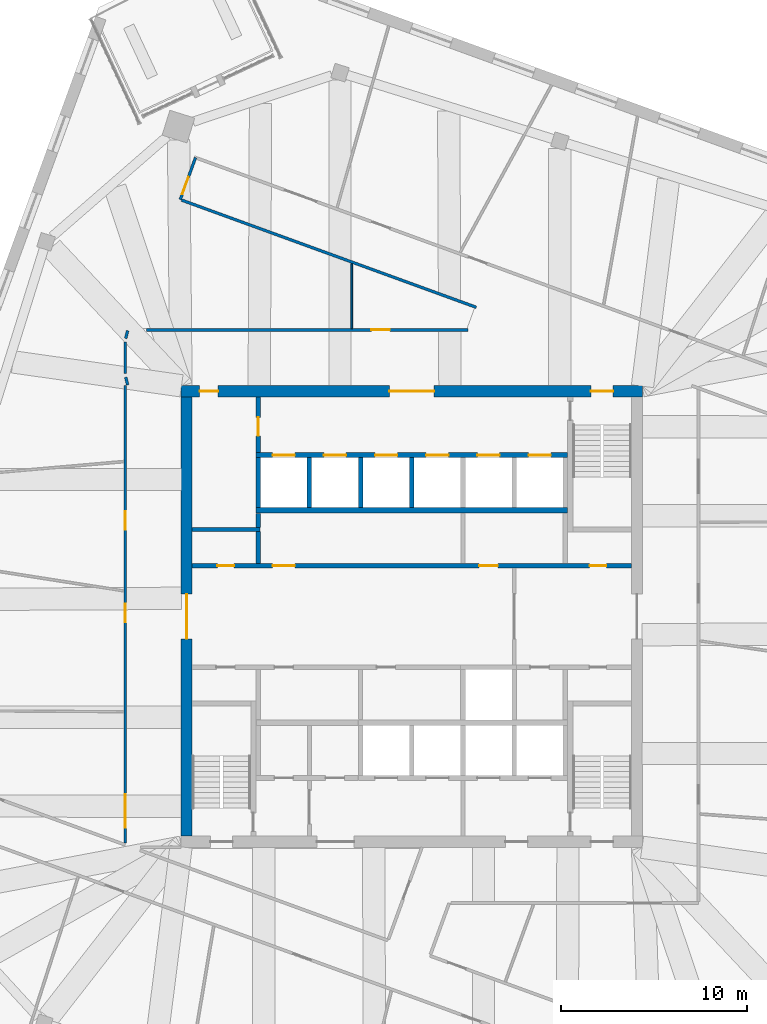
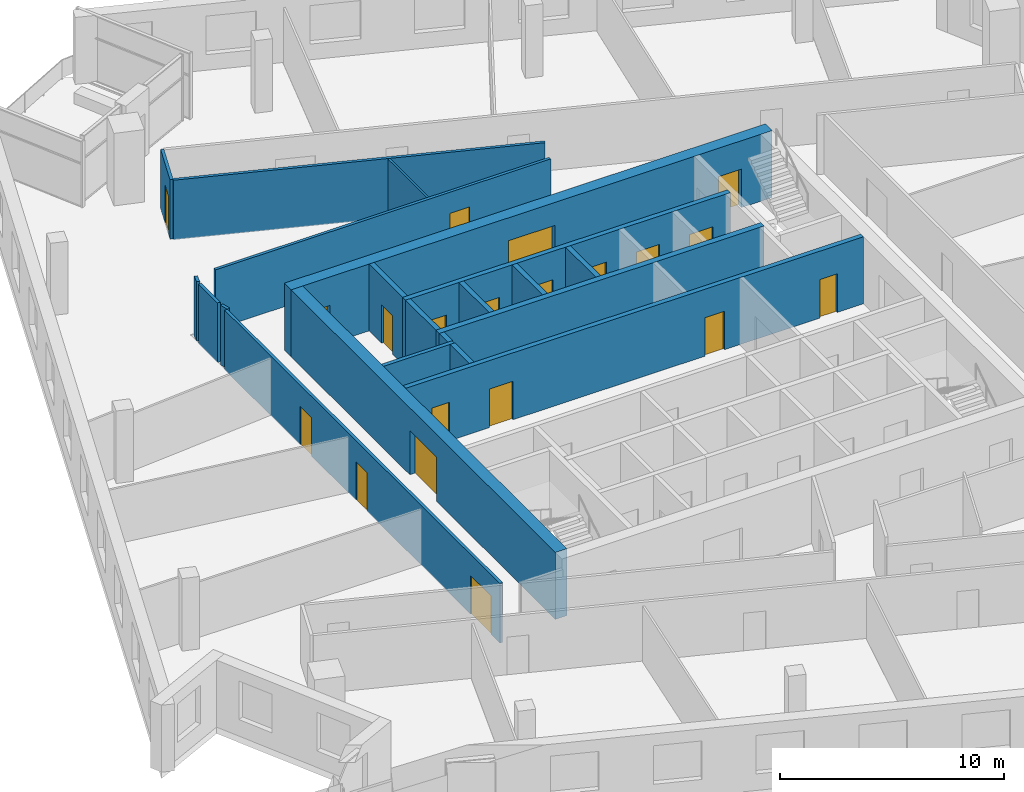
# One storey, part 9 of 13: 21 walls, 20 doors, 20 openings.
"""IFC4 building model written with IfcOpenShell, lengths in metres."""

from ifc_helpers import new_model, si_unit, direction, frame, frame_2d, origin, place, context, subcontext, project, spatial, rectangle, extrude, material, layer, layer_set, type_object, element, fill, save


model = new_model("IFC4")

# Units and contexts
model_context = context("Model", 3, precision=1e-05, world=origin(), true_north=direction((0.0, 1.0)))
body_context = subcontext(model_context, "Body", "Model", "MODEL_VIEW")
ifc_project = project(units=[si_unit("LENGTHUNIT", "METRE"), si_unit("AREAUNIT", "SQUARE_METRE"), si_unit("VOLUMEUNIT", "CUBIC_METRE"), si_unit("PLANEANGLEUNIT", "RADIAN"), si_unit("MASSUNIT", "GRAM", prefix="KILO")], contexts=[model_context])

# Site, building, storey
site_placement = place(None, origin())
site = spatial("IfcSite", under=ifc_project, at=site_placement, CompositionType="ELEMENT")
building_placement = place(site_placement, origin())
building = spatial("IfcBuilding", under=site, at=building_placement, Name="Dilmun Exchange Tower", CompositionType="ELEMENT")
storey_placement = place(building_placement, frame((0.0, 0.0, 312.5)))
storey = spatial("IfcBuildingStorey", under=building, at=storey_placement, Name="L74", CompositionType="ELEMENT", Elevation=312.5)

# Wall
ifc_material_1 = material(Name="Concrete C40/50", Category="concrete")
ifc_layer_1 = layer(ifc_material_1, 0.199951171875)
ifc_layer_set_1 = layer_set([ifc_layer_1], Name="Concrete C40/50")
wall_type_1 = type_object("IfcWallType", Name="Core partition wall 200", PredefinedType="PARTITIONING", material=ifc_layer_set_1)
wall_1_placement = place(storey_placement, frame((-11.794921875, 4.675048828125, 0.0), z_axis=(0.0, 0.0, 1.0), x_axis=(1.0, 0.0, 0.0)))
element("IfcWall", 1, at=wall_1_placement, inside=storey, type_object=wall_type_1, Name="L74 core partition wall 17", PredefinedType="PARTITIONING", context=body_context, shape_type="SweptSolid", body=[
    extrude(rectangle(XDim=3.64501953125, YDim=0.199951171875, at=frame_2d((1.822509765625, 0.0))), origin(), (0.0, 0.0, 1.0), 3.64990234375),
])

# Wall, openings, doors
ifc_layer_2 = layer(ifc_material_1, 0.25)
ifc_layer_set_2 = layer_set([ifc_layer_2], Name="Concrete C40/50")
wall_type_2 = type_object("IfcWallType", Name="Core partition wall 250", PredefinedType="PARTITIONING", material=ifc_layer_set_2)
wall_2_placement = place(storey_placement, frame((-11.794921875, 2.72509765625, 0.0), z_axis=(0.0, 0.0, 1.0), x_axis=(1.0, 0.0, 0.0)))
wall_2 = element("IfcWall", 2, at=wall_2_placement, inside=storey, type_object=wall_type_2, Name="L74 core partition wall 13", PredefinedType="PARTITIONING", context=body_context, shape_type="SweptSolid", body=[
    extrude(rectangle(XDim=23.58984375, YDim=0.25, at=frame_2d((11.794921875, 0.0))), origin(), (0.0, 0.0, 1.0), 3.64990234375),
])
opening_1_placement = place(wall_2_placement, frame((21.344970703125, 0.0, 0.0)))
opening_1 = element("IfcOpeningElement", 3, at=opening_1_placement, cuts=wall_2, Name="Opening CD6", PredefinedType="OPENING", context=body_context, shape_type="SweptSolid", body=[
    extrude(rectangle(XDim=0.89990234375, YDim=2.10009765625, at=frame_2d((0.449951171875, 1.050048828125))), frame((0.0, 0.135009765625, 0.0), z_axis=(0.0, -1.0, 0.0), x_axis=(1.0, 0.0, 0.0)), (0.0, 0.0, 1.0), 0.27001953125),
])
opening_2_placement = place(wall_2_placement, frame((1.344970703125, 0.0, 0.0)))
opening_2 = element("IfcOpeningElement", 4, at=opening_2_placement, cuts=wall_2, Name="Opening CD6", PredefinedType="OPENING", context=body_context, shape_type="SweptSolid", body=[
    extrude(rectangle(XDim=0.89990234375, YDim=2.10009765625, at=frame_2d((0.449951171875, 1.050048828125))), frame((0.0, 0.135009765625, 0.0), z_axis=(0.0, -1.0, 0.0), x_axis=(1.0, 0.0, 0.0)), (0.0, 0.0, 1.0), 0.27001953125),
])
opening_3_placement = place(wall_2_placement, frame((4.320068359375, 0.0, 0.0)))
opening_3 = element("IfcOpeningElement", 5, at=opening_3_placement, cuts=wall_2, Name="Opening CD3", PredefinedType="OPENING", context=body_context, shape_type="SweptSolid", body=[
    extrude(rectangle(XDim=1.199951171875, YDim=2.10009765625, at=frame_2d((0.60009765625, 1.050048828125))), frame((0.0, 0.135009765625, 0.0), z_axis=(0.0, -1.0, 0.0), x_axis=(1.0, 0.0, 0.0)), (0.0, 0.0, 1.0), 0.27001953125),
])
opening_4_placement = place(wall_2_placement, frame((15.419921875, 0.0, 0.0)))
opening_4 = element("IfcOpeningElement", 6, at=opening_4_placement, cuts=wall_2, Name="Opening CD4", PredefinedType="OPENING", context=body_context, shape_type="SweptSolid", body=[
    extrude(rectangle(XDim=1.0, YDim=2.10009765625, at=frame_2d((0.5, 1.050048828125))), frame((0.0, 0.135009765625, 0.0), z_axis=(0.0, -1.0, 0.0), x_axis=(1.0, 0.0, 0.0)), (0.0, 0.0, 1.0), 0.27001953125),
])
ifc_material_2 = material(Name="Fire-rated steel door set", Category="steel")
door_type_1 = type_object("IfcDoorType", Name="Core room door 1000x2100", OperationType="SINGLE_SWING_LEFT", PredefinedType="DOOR", material=ifc_material_2)
door_1_placement = place(opening_4_placement, origin())
door_1 = element("IfcDoor", 7, at=door_1_placement, inside=storey, type_object=door_type_1, Name="L74 door Archive store", OperationType="SINGLE_SWING_LEFT", OverallHeight=2.10009765625, OverallWidth=1.0, PredefinedType="DOOR", context=body_context, shape_type="SweptSolid", body=[
    extrude(rectangle(XDim=1.0, YDim=2.10009765625, at=frame_2d((0.5, 1.050048828125))), frame((0.0, 0.02490234375, 0.0), z_axis=(0.0, -1.0, 0.0), x_axis=(1.0, 0.0, 0.0)), (0.0, 0.0, 1.0), 0.050048828125),
])
fill(opening_4, door_1)
door_type_2 = type_object("IfcDoorType", Name="Core room door 900x2100", OperationType="SINGLE_SWING_LEFT", PredefinedType="DOOR", material=ifc_material_2)
door_2_placement = place(opening_1_placement, origin())
door_2 = element("IfcDoor", 8, at=door_2_placement, inside=storey, type_object=door_type_2, Name="L74 door Electrical riser", OperationType="SINGLE_SWING_LEFT", OverallHeight=2.10009765625, OverallWidth=0.89990234375, PredefinedType="DOOR", context=body_context, shape_type="SweptSolid", body=[
    extrude(rectangle(XDim=0.89990234375, YDim=2.10009765625, at=frame_2d((0.449951171875, 1.050048828125))), frame((0.0, 0.02490234375, 0.0), z_axis=(0.0, -1.0, 0.0), x_axis=(1.0, 0.0, 0.0)), (0.0, 0.0, 1.0), 0.050048828125),
])
fill(opening_1, door_2)
door_3_placement = place(opening_2_placement, origin())
door_3 = element("IfcDoor", 9, at=door_3_placement, inside=storey, type_object=door_type_2, Name="L74 door Plumbing riser", OperationType="SINGLE_SWING_LEFT", OverallHeight=2.10009765625, OverallWidth=0.89990234375, PredefinedType="DOOR", context=body_context, shape_type="SweptSolid", body=[
    extrude(rectangle(XDim=0.89990234375, YDim=2.10009765625, at=frame_2d((0.449951171875, 1.050048828125))), frame((0.0, 0.02490234375, 0.0), z_axis=(0.0, -1.0, 0.0), x_axis=(1.0, 0.0, 0.0)), (0.0, 0.0, 1.0), 0.050048828125),
])
fill(opening_2, door_3)
door_type_3 = type_object("IfcDoorType", Name="Stair exit door 1200x2100", OperationType="SINGLE_SWING_LEFT", PredefinedType="DOOR", material=ifc_material_2)
door_4_placement = place(opening_3_placement, origin())
door_4 = element("IfcDoor", 10, at=door_4_placement, inside=storey, type_object=door_type_3, Name="L74 door Tenant meeting suite", OperationType="SINGLE_SWING_LEFT", OverallHeight=2.10009765625, OverallWidth=1.199951171875, PredefinedType="DOOR", context=body_context, shape_type="SweptSolid", body=[
    extrude(rectangle(XDim=1.199951171875, YDim=2.10009765625, at=frame_2d((0.60009765625, 1.050048828125))), frame((0.0, 0.02490234375, 0.0), z_axis=(0.0, -1.0, 0.0), x_axis=(1.0, 0.0, 0.0)), (0.0, 0.0, 1.0), 0.050048828125),
])
fill(opening_3, door_4)

# Walls
wall_3_placement = place(storey_placement, frame((-8.25, 2.85498046875, 0.0), z_axis=(0.0, 0.0, 1.0), x_axis=(0.0, 1.0, 0.0)))
element("IfcWall", 11, at=wall_3_placement, inside=storey, type_object=wall_type_2, Name="L74 core partition wall 14", PredefinedType="PARTITIONING", context=body_context, shape_type="SweptSolid", body=[
    extrude(rectangle(XDim=1.715087890625, YDim=0.25, at=frame_2d((0.857421875, 0.0))), origin(), (0.0, 0.0, 1.0), 3.64990234375),
])
wall_4_placement = place(storey_placement, frame((-8.25, 4.780029296875, 0.0), z_axis=(0.0, 0.0, 1.0), x_axis=(0.0, 1.0, 0.0)))
element("IfcWall", 12, at=wall_4_placement, inside=storey, type_object=wall_type_2, Name="L74 core partition wall 18", PredefinedType="PARTITIONING", context=body_context, shape_type="SweptSolid", body=[
    extrude(rectangle(XDim=0.764892578125, YDim=0.25, at=frame_2d((0.38232421875, 0.0))), origin(), (0.0, 0.0, 1.0), 3.64990234375),
])

# Wall, opening, door
wall_5_placement = place(storey_placement, frame((-8.25, 8.804931640625, 0.0), z_axis=(0.0, 0.0, 1.0), x_axis=(0.0, 1.0, 0.0)))
wall_5 = element("IfcWall", 13, at=wall_5_placement, inside=storey, type_object=wall_type_2, Name="L74 core partition wall 19", PredefinedType="PARTITIONING", context=body_context, shape_type="SweptSolid", body=[
    extrude(rectangle(XDim=2.989990234375, YDim=0.25, at=frame_2d((1.4951171875, 0.0))), origin(), (0.0, 0.0, 1.0), 3.64990234375),
])
opening_5_placement = place(wall_5_placement, frame((0.89501953125, 0.0, 0.0)))
opening_5 = element("IfcOpeningElement", 14, at=opening_5_placement, cuts=wall_5, Name="Opening CD4", PredefinedType="OPENING", context=body_context, shape_type="SweptSolid", body=[
    extrude(rectangle(XDim=1.0, YDim=2.10009765625, at=frame_2d((0.5, 1.050048828125))), frame((0.0, 0.135009765625, 0.0), z_axis=(0.0, -1.0, 0.0), x_axis=(1.0, 0.0, 0.0)), (0.0, 0.0, 1.0), 0.27001953125),
])
door_5_placement = place(opening_5_placement, origin())
door_5 = element("IfcDoor", 15, at=door_5_placement, inside=storey, type_object=door_type_1, Name="L74 door Facilities office", OperationType="SINGLE_SWING_LEFT", OverallHeight=2.10009765625, OverallWidth=1.0, PredefinedType="DOOR", context=body_context, shape_type="SweptSolid", body=[
    extrude(rectangle(XDim=1.0, YDim=2.10009765625, at=frame_2d((0.5, 1.050048828125))), frame((0.0, 0.02490234375, 0.0), z_axis=(0.0, -1.0, 0.0), x_axis=(1.0, 0.0, 0.0)), (0.0, 0.0, 1.0), 0.050048828125),
])
fill(opening_5, door_5)

# Wall, openings, doors
ifc_material_3 = material(Name="Concrete C50/60", Category="concrete")
ifc_layer_3 = layer(ifc_material_3, 0.60009765625)
ifc_layer_set_3 = layer_set([ifc_layer_3], Name="Concrete C50/60")
wall_type_3 = type_object("IfcWallType", Name="Core shear wall 600 Concrete C50/60", PredefinedType="SHEAR", material=ifc_layer_set_3)
wall_6_placement = place(storey_placement, frame((-12.39990234375, 12.10009765625, 0.0), z_axis=(0.0, 0.0, 1.0), x_axis=(1.0, 0.0, 0.0)))
wall_6 = element("IfcWall", 16, at=wall_6_placement, inside=storey, type_object=wall_type_3, Name="L74 core shear wall N", PredefinedType="SHEAR", context=body_context, shape_type="SweptSolid", body=[
    extrude(rectangle(XDim=24.7998046875, YDim=0.60009765625, at=frame_2d((12.39990234375, 0.0))), origin(), (0.0, 0.0, 1.0), 3.64990234375),
])
opening_6_placement = place(wall_6_placement, frame((11.199951171875, 0.0, 0.0)))
opening_6 = element("IfcOpeningElement", 17, at=opening_6_placement, cuts=wall_6, Name="Opening CD1", PredefinedType="OPENING", context=body_context, shape_type="SweptSolid", body=[
    extrude(rectangle(XDim=2.39990234375, YDim=2.39990234375, at=frame_2d((1.199951171875, 1.199951171875))), frame((0.0, 0.31005859375, 0.0), z_axis=(0.0, -1.0, 0.0), x_axis=(1.0, 0.0, 0.0)), (0.0, 0.0, 1.0), 0.6201171875),
])
opening_7_placement = place(wall_6_placement, frame((22.02490234375, 0.0, 0.0)))
opening_7 = element("IfcOpeningElement", 18, at=opening_7_placement, cuts=wall_6, Name="Opening CD3", PredefinedType="OPENING", context=body_context, shape_type="SweptSolid", body=[
    extrude(rectangle(XDim=1.199951171875, YDim=2.10009765625, at=frame_2d((0.60009765625, 1.050048828125))), frame((0.0, 0.31005859375, 0.0), z_axis=(0.0, -1.0, 0.0), x_axis=(1.0, 0.0, 0.0)), (0.0, 0.0, 1.0), 0.6201171875),
])
opening_8_placement = place(wall_6_placement, frame((1.0, 0.0, 0.0)))
opening_8 = element("IfcOpeningElement", 19, at=opening_8_placement, cuts=wall_6, Name="Opening CD4", PredefinedType="OPENING", context=body_context, shape_type="SweptSolid", body=[
    extrude(rectangle(XDim=1.0, YDim=2.10009765625, at=frame_2d((0.5, 1.050048828125))), frame((0.0, 0.31005859375, 0.0), z_axis=(0.0, -1.0, 0.0), x_axis=(1.0, 0.0, 0.0)), (0.0, 0.0, 1.0), 0.6201171875),
])
door_type_4 = type_object("IfcDoorType", Name="Core lobby door 2400x2400", OperationType="DOUBLE_DOOR_DOUBLE_SWING", PredefinedType="DOOR", material=ifc_material_2)
door_6_placement = place(opening_6_placement, origin())
door_6 = element("IfcDoor", 20, at=door_6_placement, inside=storey, type_object=door_type_4, Name="L74 door North lift lobby", OperationType="SINGLE_SWING_LEFT", OverallHeight=2.39990234375, OverallWidth=2.39990234375, PredefinedType="DOOR", context=body_context, shape_type="SweptSolid", body=[
    extrude(rectangle(XDim=2.39990234375, YDim=2.39990234375, at=frame_2d((1.199951171875, 1.199951171875))), frame((0.0, 0.02490234375, 0.0), z_axis=(0.0, -1.0, 0.0), x_axis=(1.0, 0.0, 0.0)), (0.0, 0.0, 1.0), 0.050048828125),
])
fill(opening_6, door_6)
door_7_placement = place(opening_8_placement, origin())
door_7 = element("IfcDoor", 21, at=door_7_placement, inside=storey, type_object=door_type_1, Name="L74 door North-west core rooms", OperationType="SINGLE_SWING_LEFT", OverallHeight=2.10009765625, OverallWidth=1.0, PredefinedType="DOOR", context=body_context, shape_type="SweptSolid", body=[
    extrude(rectangle(XDim=1.0, YDim=2.10009765625, at=frame_2d((0.5, 1.050048828125))), frame((0.0, 0.02490234375, 0.0), z_axis=(0.0, -1.0, 0.0), x_axis=(1.0, 0.0, 0.0)), (0.0, 0.0, 1.0), 0.050048828125),
])
fill(opening_8, door_7)
door_8_placement = place(opening_7_placement, origin())
door_8 = element("IfcDoor", 22, at=door_8_placement, inside=storey, type_object=door_type_3, Name="L74 door Stair ST1", OperationType="SINGLE_SWING_LEFT", OverallHeight=2.10009765625, OverallWidth=1.199951171875, PredefinedType="DOOR", context=body_context, shape_type="SweptSolid", body=[
    extrude(rectangle(XDim=1.199951171875, YDim=2.10009765625, at=frame_2d((0.60009765625, 1.050048828125))), frame((0.0, 0.02490234375, 0.0), z_axis=(0.0, -1.0, 0.0), x_axis=(1.0, 0.0, 0.0)), (0.0, 0.0, 1.0), 0.050048828125),
])
fill(opening_7, door_8)

# Wall, opening, door
wall_7_placement = place(storey_placement, frame((-12.10009765625, -11.800048828125, 0.0), z_axis=(0.0, 0.0, 1.0), x_axis=(0.0, 1.0, 0.0)))
wall_7 = element("IfcWall", 23, at=wall_7_placement, inside=storey, type_object=wall_type_3, Name="L74 core shear wall W", PredefinedType="SHEAR", context=body_context, shape_type="SweptSolid", body=[
    extrude(rectangle(XDim=23.60009765625, YDim=0.60009765625, at=frame_2d((11.800048828125, 0.0))), origin(), (0.0, 0.0, 1.0), 3.64990234375),
])
opening_9_placement = place(wall_7_placement, frame((10.60009765625, 0.0, 0.0)))
opening_9 = element("IfcOpeningElement", 24, at=opening_9_placement, cuts=wall_7, Name="Opening CD1", PredefinedType="OPENING", context=body_context, shape_type="SweptSolid", body=[
    extrude(rectangle(XDim=2.39990234375, YDim=2.39990234375, at=frame_2d((1.199951171875, 1.199951171875))), frame((0.0, 0.31005859375, 0.0), z_axis=(0.0, -1.0, 0.0), x_axis=(1.0, 0.0, 0.0)), (0.0, 0.0, 1.0), 0.6201171875),
])
door_9_placement = place(opening_9_placement, origin())
door_9 = element("IfcDoor", 25, at=door_9_placement, inside=storey, type_object=door_type_4, Name="L74 door Central lift lobby", OperationType="SINGLE_SWING_LEFT", OverallHeight=2.39990234375, OverallWidth=2.39990234375, PredefinedType="DOOR", context=body_context, shape_type="SweptSolid", body=[
    extrude(rectangle(XDim=2.39990234375, YDim=2.39990234375, at=frame_2d((1.199951171875, 1.199951171875))), frame((0.0, 0.02490234375, 0.0), z_axis=(0.0, -1.0, 0.0), x_axis=(1.0, 0.0, 0.0)), (0.0, 0.0, 1.0), 0.050048828125),
])
fill(opening_9, door_9)

# Wall, openings, doors
ifc_material_4 = material(Name="Corridor wall 150")
ifc_layer_4 = layer(ifc_material_4, 0.14990234375)
ifc_layer_set_4 = layer_set([ifc_layer_4], Name="Corridor wall 150")
wall_type_4 = type_object("IfcWallType", Name="Corridor wall 150", PredefinedType="PARTITIONING", material=ifc_layer_set_4)
wall_8_placement = place(storey_placement, frame((-15.39990234375, -12.160888671875, 0.0), z_axis=(0.0, 0.0, 1.0), x_axis=(0.0, 1.0, 0.0)))
wall_8 = element("IfcWall", 26, at=wall_8_placement, inside=storey, type_object=wall_type_4, Name="Corridor wall", PredefinedType="PARTITIONING", context=body_context, shape_type="SweptSolid", body=[
    extrude(rectangle(XDim=24.560791015625, YDim=0.14990234375, at=frame_2d((12.2802734375, 0.0))), origin(), (0.0, 0.0, 1.0), 3.25),
])
opening_10_placement = place(wall_8_placement, frame((0.800048828125, 0.0, 0.0)))
opening_10 = element("IfcOpeningElement", 27, at=opening_10_placement, cuts=wall_8, Name="Opening TF72-D01", PredefinedType="OPENING", context=body_context, shape_type="SweptSolid", body=[
    extrude(rectangle(XDim=1.800048828125, YDim=2.10009765625, at=frame_2d((0.89990234375, 1.050048828125))), frame((0.0, 0.0849609375, 0.0), z_axis=(0.0, -1.0, 0.0), x_axis=(1.0, 0.0, 0.0)), (0.0, 0.0, 1.0), 0.169921875),
])
opening_11_placement = place(wall_8_placement, frame((11.84521484375, 0.0, 0.0)))
opening_11 = element("IfcOpeningElement", 28, at=opening_11_placement, cuts=wall_8, Name="Opening TF72-D03", PredefinedType="OPENING", context=body_context, shape_type="SweptSolid", body=[
    extrude(rectangle(XDim=1.0, YDim=2.10009765625, at=frame_2d((0.5, 1.050048828125))), frame((0.0, 0.0849609375, 0.0), z_axis=(0.0, -1.0, 0.0), x_axis=(1.0, 0.0, 0.0)), (0.0, 0.0, 1.0), 0.169921875),
])
opening_12_placement = place(wall_8_placement, frame((16.823974609375, 0.0, 0.0)))
opening_12 = element("IfcOpeningElement", 29, at=opening_12_placement, cuts=wall_8, Name="Opening TF72-D04", PredefinedType="OPENING", context=body_context, shape_type="SweptSolid", body=[
    extrude(rectangle(XDim=1.0, YDim=2.10009765625, at=frame_2d((0.5, 1.050048828125))), frame((0.0, 0.0849609375, 0.0), z_axis=(0.0, -1.0, 0.0), x_axis=(1.0, 0.0, 0.0)), (0.0, 0.0, 1.0), 0.169921875),
])
ifc_material_5 = material(Name="Fire door 1000 x 2100")
door_type_5 = type_object("IfcDoorType", Name="Fire door 1000 x 2100", OperationType="NOTDEFINED", PredefinedType="DOOR", material=ifc_material_5)
door_10_placement = place(opening_11_placement, origin())
door_10 = element("IfcDoor", 30, at=door_10_placement, inside=storey, type_object=door_type_5, Name="Door TF72-D03", OperationType="SINGLE_SWING_LEFT", OverallHeight=2.10009765625, OverallWidth=1.0, PredefinedType="DOOR", context=body_context, shape_type="SweptSolid", body=[
    extrude(rectangle(XDim=1.0, YDim=2.10009765625, at=frame_2d((0.5, 1.050048828125))), frame((0.0, 0.02490234375, 0.0), z_axis=(0.0, -1.0, 0.0), x_axis=(1.0, 0.0, 0.0)), (0.0, 0.0, 1.0), 0.050048828125),
])
fill(opening_11, door_10)
door_11_placement = place(opening_12_placement, origin())
door_11 = element("IfcDoor", 31, at=door_11_placement, inside=storey, type_object=door_type_5, Name="Door TF72-D04", OperationType="SINGLE_SWING_RIGHT", OverallHeight=2.10009765625, OverallWidth=1.0, PredefinedType="DOOR", context=body_context, shape_type="SweptSolid", body=[
    extrude(rectangle(XDim=1.0, YDim=2.10009765625, at=frame_2d((0.5, 1.050048828125))), frame((0.0, 0.02490234375, 0.0), z_axis=(0.0, -1.0, 0.0), x_axis=(1.0, 0.0, 0.0)), (0.0, 0.0, 1.0), 0.050048828125),
])
fill(opening_12, door_11)
ifc_material_6 = material(Name="Fire door pair 1800 x 2100")
door_type_6 = type_object("IfcDoorType", Name="Fire door pair 1800 x 2100", OperationType="NOTDEFINED", PredefinedType="DOOR", material=ifc_material_6)
door_12_placement = place(opening_10_placement, origin())
door_12 = element("IfcDoor", 32, at=door_12_placement, inside=storey, type_object=door_type_6, Name="Door TF72-D01", OperationType="DOUBLE_DOOR_SINGLE_SWING", OverallHeight=2.10009765625, OverallWidth=1.800048828125, PredefinedType="DOOR", context=body_context, shape_type="SweptSolid", body=[
    extrude(rectangle(XDim=1.800048828125, YDim=2.10009765625, at=frame_2d((0.89990234375, 1.050048828125))), frame((0.0, 0.02490234375, 0.0), z_axis=(0.0, -1.0, 0.0), x_axis=(1.0, 0.0, 0.0)), (0.0, 0.0, 1.0), 0.050048828125),
])
fill(opening_10, door_12)

# Walls
wall_9_placement = place(storey_placement, frame((-15.39990234375, 13.050048828125, 0.0), z_axis=(0.0, 0.0, 1.0), x_axis=(0.0, 1.0, 0.0)))
element("IfcWall", 33, at=wall_9_placement, inside=storey, type_object=wall_type_4, Name="Corridor wall", PredefinedType="PARTITIONING", context=body_context, shape_type="SweptSolid", body=[
    extrude(rectangle(XDim=1.699951171875, YDim=0.14990234375, at=frame_2d((0.85009765625, 0.0))), origin(), (0.0, 0.0, 1.0), 3.25),
])
wall_10_placement = place(storey_placement, frame((-15.263427734375, 12.440185546875, 0.0), z_axis=(0.0, 0.0, 1.0), x_axis=(-0.249928977064, 0.968264171817, 0.0)))
element("IfcWall", 34, at=wall_10_placement, inside=storey, type_object=wall_type_4, Name="Corridor wall", PredefinedType="PARTITIONING", context=body_context, shape_type="SweptSolid", body=[
    extrude(rectangle(XDim=0.434814453125, YDim=0.14990234375, at=frame_2d((0.21728515625, 0.0))), origin(), (0.0, 0.0, 1.0), 3.25),
])
wall_11_placement = place(storey_placement, frame((-15.263427734375, 15.359619140625, 0.0), z_axis=(0.0, 0.0, 1.0), x_axis=(-0.250064963452, -0.968229060736, 0.0)))
element("IfcWall", 35, at=wall_11_placement, inside=storey, type_object=wall_type_4, Name="Corridor wall", PredefinedType="PARTITIONING", context=body_context, shape_type="SweptSolid", body=[
    extrude(rectangle(XDim=0.4345703125, YDim=0.14990234375, at=frame_2d((0.21728515625, 0.0))), origin(), (0.0, 0.0, 1.0), 3.25),
])

# Wall, opening, door
wall_12_placement = place(storey_placement, frame((-14.250244140625, 15.39990234375, 0.0), z_axis=(0.0, 0.0, 1.0), x_axis=(1.0, 0.0, 0.0)))
wall_12 = element("IfcWall", 36, at=wall_12_placement, inside=storey, type_object=wall_type_4, Name="Corridor wall", PredefinedType="PARTITIONING", context=body_context, shape_type="SweptSolid", body=[
    extrude(rectangle(XDim=17.273193359375, YDim=0.14990234375, at=frame_2d((8.63671875, 0.0))), origin(), (0.0, 0.0, 1.0), 3.25),
])
opening_13_placement = place(wall_12_placement, frame((12.074951171875, 0.0, 0.0)))
opening_13 = element("IfcOpeningElement", 37, at=opening_13_placement, cuts=wall_12, Name="Opening TF72-D10", PredefinedType="OPENING", context=body_context, shape_type="SweptSolid", body=[
    extrude(rectangle(XDim=1.0, YDim=2.10009765625, at=frame_2d((0.5, 1.050048828125))), frame((0.0, 0.0849609375, 0.0), z_axis=(0.0, -1.0, 0.0), x_axis=(1.0, 0.0, 0.0)), (0.0, 0.0, 1.0), 0.169921875),
])
door_13_placement = place(opening_13_placement, origin())
door_13 = element("IfcDoor", 38, at=door_13_placement, inside=storey, type_object=door_type_5, Name="Door TF72-D10", OperationType="SINGLE_SWING_RIGHT", OverallHeight=2.10009765625, OverallWidth=1.0, PredefinedType="DOOR", context=body_context, shape_type="SweptSolid", body=[
    extrude(rectangle(XDim=1.0, YDim=2.10009765625, at=frame_2d((0.5, 1.050048828125))), frame((0.0, 0.02490234375, 0.0), z_axis=(0.0, -1.0, 0.0), x_axis=(1.0, 0.0, 0.0)), (0.0, 0.0, 1.0), 0.050048828125),
])
fill(opening_13, door_13)

wall_13_placement = place(storey_placement, frame((-12.43994140625, 22.402099609375, 0.0), z_axis=(0.0, 0.0, 1.0), x_axis=(0.342143298706, 0.939647786753, 0.0)))
wall_13 = element("IfcWall", 39, at=wall_13_placement, inside=storey, type_object=wall_type_4, Name="Corridor wall", PredefinedType="PARTITIONING", context=body_context, shape_type="SweptSolid", body=[
    extrude(rectangle(XDim=2.399658203125, YDim=0.14990234375, at=frame_2d((1.19970703125, 0.0))), origin(), (0.0, 0.0, 1.0), 3.25),
])
opening_14_placement = place(wall_13_placement, frame((0.300048828125, 0.0, 0.0)))
opening_14 = element("IfcOpeningElement", 40, at=opening_14_placement, cuts=wall_13, Name="Opening TF72-D07", PredefinedType="OPENING", context=body_context, shape_type="SweptSolid", body=[
    extrude(rectangle(XDim=1.0, YDim=2.10009765625, at=frame_2d((0.5, 1.050048828125))), frame((0.0, 0.0849609375, 0.0), z_axis=(0.0, -1.0, 0.0), x_axis=(1.0, 0.0, 0.0)), (0.0, 0.0, 1.0), 0.169921875),
])
door_14_placement = place(opening_14_placement, origin())
door_14 = element("IfcDoor", 41, at=door_14_placement, inside=storey, type_object=door_type_5, Name="Door TF72-D07", OperationType="SINGLE_SWING_LEFT", OverallHeight=2.10009765625, OverallWidth=1.0, PredefinedType="DOOR", context=body_context, shape_type="SweptSolid", body=[
    extrude(rectangle(XDim=1.0, YDim=2.10009765625, at=frame_2d((0.5, 1.050048828125))), frame((0.0, 0.02490234375, 0.0), z_axis=(0.0, -1.0, 0.0), x_axis=(1.0, 0.0, 0.0)), (0.0, 0.0, 1.0), 0.050048828125),
])
fill(opening_14, door_14)

# Walls
wall_14_placement = place(storey_placement, frame((-12.369384765625, 22.376220703125, 0.0), z_axis=(0.0, 0.0, 1.0), x_axis=(0.939694397018, -0.342015263129, 0.0)))
element("IfcWall", 42, at=wall_14_placement, inside=storey, type_object=wall_type_4, Name="Corridor wall", PredefinedType="PARTITIONING", context=body_context, shape_type="SweptSolid", body=[
    extrude(rectangle(XDim=16.8505859375, YDim=0.14990234375, at=frame_2d((8.42529296875, 0.0))), origin(), (0.0, 0.0, 1.0), 3.25),
])
ifc_layer_5 = layer(ifc_material_1, 0.300048828125)
ifc_layer_set_5 = layer_set([ifc_layer_5], Name="Concrete C40/50")
wall_type_5 = type_object("IfcWallType", Name="Lift shaft shared wall 300", PredefinedType="SOLIDWALL", material=ifc_layer_set_5)
wall_15_placement = place(storey_placement, frame((-8.375, 5.699951171875, 0.0), z_axis=(0.0, 0.0, 1.0), x_axis=(1.0, 0.0, 0.0)))
element("IfcWall", 43, at=wall_15_placement, inside=storey, type_object=wall_type_5, Name="L74 lift shaft rear wall N", PredefinedType="SOLIDWALL", context=body_context, shape_type="SweptSolid", body=[
    extrude(rectangle(XDim=16.75, YDim=0.300048828125, at=frame_2d((8.375, 0.0))), origin(), (0.0, 0.0, 1.0), 3.64990234375),
])

# Wall, openings, doors
ifc_layer_6 = layer(ifc_material_1, 0.25)
ifc_layer_set_6 = layer_set([ifc_layer_6], Name="Concrete C40/50")
wall_type_6 = type_object("IfcWallType", Name="Lift shaft wall 250", PredefinedType="SOLIDWALL", material=ifc_layer_set_6)
wall_16_placement = place(storey_placement, frame((-8.375, 8.675048828125, 0.0), z_axis=(0.0, 0.0, 1.0), x_axis=(1.0, 0.0, 0.0)))
wall_16 = element("IfcWall", 44, at=wall_16_placement, inside=storey, type_object=wall_type_6, Name="L74 lift shaft front wall N2", PredefinedType="SOLIDWALL", context=body_context, shape_type="SweptSolid", body=[
    extrude(rectangle(XDim=16.75, YDim=0.25, at=frame_2d((8.375, 0.0))), origin(), (0.0, 0.0, 1.0), 3.64990234375),
])
opening_15_placement = place(wall_16_placement, frame((0.89990234375, 0.0, 0.0)))
opening_15 = element("IfcOpeningElement", 45, at=opening_15_placement, cuts=wall_16, Name="Opening LD", PredefinedType="OPENING", context=body_context, shape_type="SweptSolid", body=[
    extrude(rectangle(XDim=1.199951171875, YDim=2.10009765625, at=frame_2d((0.60009765625, 1.050048828125))), frame((0.0, 0.135009765625, 0.0), z_axis=(0.0, -1.0, 0.0), x_axis=(1.0, 0.0, 0.0)), (0.0, 0.0, 1.0), 0.27001953125),
])
opening_16_placement = place(wall_16_placement, frame((3.64990234375, 0.0, 0.0)))
opening_16 = element("IfcOpeningElement", 46, at=opening_16_placement, cuts=wall_16, Name="Opening LD", PredefinedType="OPENING", context=body_context, shape_type="SweptSolid", body=[
    extrude(rectangle(XDim=1.199951171875, YDim=2.10009765625, at=frame_2d((0.60009765625, 1.050048828125))), frame((0.0, 0.135009765625, 0.0), z_axis=(0.0, -1.0, 0.0), x_axis=(1.0, 0.0, 0.0)), (0.0, 0.0, 1.0), 0.27001953125),
])
opening_17_placement = place(wall_16_placement, frame((6.39990234375, 0.0, 0.0)))
opening_17 = element("IfcOpeningElement", 47, at=opening_17_placement, cuts=wall_16, Name="Opening LD", PredefinedType="OPENING", context=body_context, shape_type="SweptSolid", body=[
    extrude(rectangle(XDim=1.199951171875, YDim=2.10009765625, at=frame_2d((0.60009765625, 1.050048828125))), frame((0.0, 0.135009765625, 0.0), z_axis=(0.0, -1.0, 0.0), x_axis=(1.0, 0.0, 0.0)), (0.0, 0.0, 1.0), 0.27001953125),
])
opening_18_placement = place(wall_16_placement, frame((9.14990234375, 0.0, 0.0)))
opening_18 = element("IfcOpeningElement", 48, at=opening_18_placement, cuts=wall_16, Name="Opening LD", PredefinedType="OPENING", context=body_context, shape_type="SweptSolid", body=[
    extrude(rectangle(XDim=1.199951171875, YDim=2.10009765625, at=frame_2d((0.60009765625, 1.050048828125))), frame((0.0, 0.135009765625, 0.0), z_axis=(0.0, -1.0, 0.0), x_axis=(1.0, 0.0, 0.0)), (0.0, 0.0, 1.0), 0.27001953125),
])
opening_19_placement = place(wall_16_placement, frame((11.89990234375, 0.0, 0.0)))
opening_19 = element("IfcOpeningElement", 49, at=opening_19_placement, cuts=wall_16, Name="Opening LD", PredefinedType="OPENING", context=body_context, shape_type="SweptSolid", body=[
    extrude(rectangle(XDim=1.199951171875, YDim=2.10009765625, at=frame_2d((0.60009765625, 1.050048828125))), frame((0.0, 0.135009765625, 0.0), z_axis=(0.0, -1.0, 0.0), x_axis=(1.0, 0.0, 0.0)), (0.0, 0.0, 1.0), 0.27001953125),
])
opening_20_placement = place(wall_16_placement, frame((14.64990234375, 0.0, 0.0)))
opening_20 = element("IfcOpeningElement", 50, at=opening_20_placement, cuts=wall_16, Name="Opening LD", PredefinedType="OPENING", context=body_context, shape_type="SweptSolid", body=[
    extrude(rectangle(XDim=1.199951171875, YDim=2.10009765625, at=frame_2d((0.60009765625, 1.050048828125))), frame((0.0, 0.135009765625, 0.0), z_axis=(0.0, -1.0, 0.0), x_axis=(1.0, 0.0, 0.0)), (0.0, 0.0, 1.0), 0.27001953125),
])
door_type_7 = type_object("IfcDoorType", Name="Lift landing door 1200x2100", OperationType="DOUBLE_DOOR_SLIDING", PredefinedType="DOOR", material=ifc_material_2)
door_15_placement = place(opening_15_placement, origin())
door_15 = element("IfcDoor", 51, at=door_15_placement, inside=storey, type_object=door_type_7, Name="L74 landing door HR1", OperationType="DOUBLE_DOOR_SLIDING", OverallHeight=2.10009765625, OverallWidth=1.199951171875, PredefinedType="DOOR", context=body_context, shape_type="SweptSolid", body=[
    extrude(rectangle(XDim=1.199951171875, YDim=2.10009765625, at=frame_2d((0.60009765625, 1.050048828125))), frame((0.0, 0.02490234375, 0.0), z_axis=(0.0, -1.0, 0.0), x_axis=(1.0, 0.0, 0.0)), (0.0, 0.0, 1.0), 0.050048828125),
])
fill(opening_15, door_15)
door_16_placement = place(opening_16_placement, origin())
door_16 = element("IfcDoor", 52, at=door_16_placement, inside=storey, type_object=door_type_7, Name="L74 landing door HR2", OperationType="DOUBLE_DOOR_SLIDING", OverallHeight=2.10009765625, OverallWidth=1.199951171875, PredefinedType="DOOR", context=body_context, shape_type="SweptSolid", body=[
    extrude(rectangle(XDim=1.199951171875, YDim=2.10009765625, at=frame_2d((0.60009765625, 1.050048828125))), frame((0.0, 0.02490234375, 0.0), z_axis=(0.0, -1.0, 0.0), x_axis=(1.0, 0.0, 0.0)), (0.0, 0.0, 1.0), 0.050048828125),
])
fill(opening_16, door_16)
door_17_placement = place(opening_17_placement, origin())
door_17 = element("IfcDoor", 53, at=door_17_placement, inside=storey, type_object=door_type_7, Name="L74 landing door HR3", OperationType="DOUBLE_DOOR_SLIDING", OverallHeight=2.10009765625, OverallWidth=1.199951171875, PredefinedType="DOOR", context=body_context, shape_type="SweptSolid", body=[
    extrude(rectangle(XDim=1.199951171875, YDim=2.10009765625, at=frame_2d((0.60009765625, 1.050048828125))), frame((0.0, 0.02490234375, 0.0), z_axis=(0.0, -1.0, 0.0), x_axis=(1.0, 0.0, 0.0)), (0.0, 0.0, 1.0), 0.050048828125),
])
fill(opening_17, door_17)
door_18_placement = place(opening_18_placement, origin())
door_18 = element("IfcDoor", 54, at=door_18_placement, inside=storey, type_object=door_type_7, Name="L74 landing door HR4", OperationType="DOUBLE_DOOR_SLIDING", OverallHeight=2.10009765625, OverallWidth=1.199951171875, PredefinedType="DOOR", context=body_context, shape_type="SweptSolid", body=[
    extrude(rectangle(XDim=1.199951171875, YDim=2.10009765625, at=frame_2d((0.60009765625, 1.050048828125))), frame((0.0, 0.02490234375, 0.0), z_axis=(0.0, -1.0, 0.0), x_axis=(1.0, 0.0, 0.0)), (0.0, 0.0, 1.0), 0.050048828125),
])
fill(opening_18, door_18)
door_19_placement = place(opening_19_placement, origin())
door_19 = element("IfcDoor", 55, at=door_19_placement, inside=storey, type_object=door_type_7, Name="L74 landing door HR5", OperationType="DOUBLE_DOOR_SLIDING", OverallHeight=2.10009765625, OverallWidth=1.199951171875, PredefinedType="DOOR", context=body_context, shape_type="SweptSolid", body=[
    extrude(rectangle(XDim=1.199951171875, YDim=2.10009765625, at=frame_2d((0.60009765625, 1.050048828125))), frame((0.0, 0.02490234375, 0.0), z_axis=(0.0, -1.0, 0.0), x_axis=(1.0, 0.0, 0.0)), (0.0, 0.0, 1.0), 0.050048828125),
])
fill(opening_19, door_19)
door_20_placement = place(opening_20_placement, origin())
door_20 = element("IfcDoor", 56, at=door_20_placement, inside=storey, type_object=door_type_7, Name="L74 landing door HR6", OperationType="DOUBLE_DOOR_SLIDING", OverallHeight=2.10009765625, OverallWidth=1.199951171875, PredefinedType="DOOR", context=body_context, shape_type="SweptSolid", body=[
    extrude(rectangle(XDim=1.199951171875, YDim=2.10009765625, at=frame_2d((0.60009765625, 1.050048828125))), frame((0.0, 0.02490234375, 0.0), z_axis=(0.0, -1.0, 0.0), x_axis=(1.0, 0.0, 0.0)), (0.0, 0.0, 1.0), 0.050048828125),
])
fill(opening_20, door_20)

# Walls
for number, where, z_axis, x_axis, name in (
    (57, (-8.25, 5.85009765625, 0.0), (0.0, 0.0, 1.0), (0.0, 1.0, 0.0), "L74 lift shaft divider N20"),
    (58, (-5.5, 5.85009765625, 0.0), (0.0, 0.0, 1.0), (0.0, 1.0, 0.0), "L74 lift shaft divider N21"),
    (59, (-2.75, 5.85009765625, 0.0), (0.0, 0.0, 1.0), (0.0, 1.0, 0.0), "L74 lift shaft divider N22"),
    (60, (0.0, 5.85009765625, 0.0), (0.0, 0.0, 1.0), (0.0, 1.0, 0.0), "L74 lift shaft divider N23"),
):
    element("IfcWall", number, at=place(storey_placement, frame(where, z_axis=z_axis, x_axis=x_axis)), inside=storey, type_object=wall_type_6, Name=name, PredefinedType="SOLIDWALL", context=body_context, shape_type="SweptSolid", body=[
        extrude(rectangle(XDim=2.699951171875, YDim=0.25, at=frame_2d((1.35009765625, 0.0))), origin(), (0.0, 0.0, 1.0), 3.64990234375),
    ])
ifc_material_7 = material(Name="Partition 100")
ifc_layer_7 = layer(ifc_material_7, 0.10009765625)
ifc_layer_set_7 = layer_set([ifc_layer_7], Name="Partition 100")
wall_type_7 = type_object("IfcWallType", Name="Partition 100", PredefinedType="PARTITIONING", material=ifc_layer_set_7)
wall_17_placement = place(storey_placement, frame((-3.22509765625, 15.47509765625, 0.0), z_axis=(0.0, 0.0, 1.0), x_axis=(0.0, 1.0, 0.0)))
element("IfcWall", 61, at=wall_17_placement, inside=storey, type_object=wall_type_7, Name="Partition", PredefinedType="PARTITIONING", context=body_context, shape_type="SweptSolid", body=[
    extrude(rectangle(XDim=3.474853515625, YDim=0.10009765625, at=frame_2d((1.7373046875, 0.0))), origin(), (0.0, 0.0, 1.0), 3.25),
])

save(model, "model.ifc")
